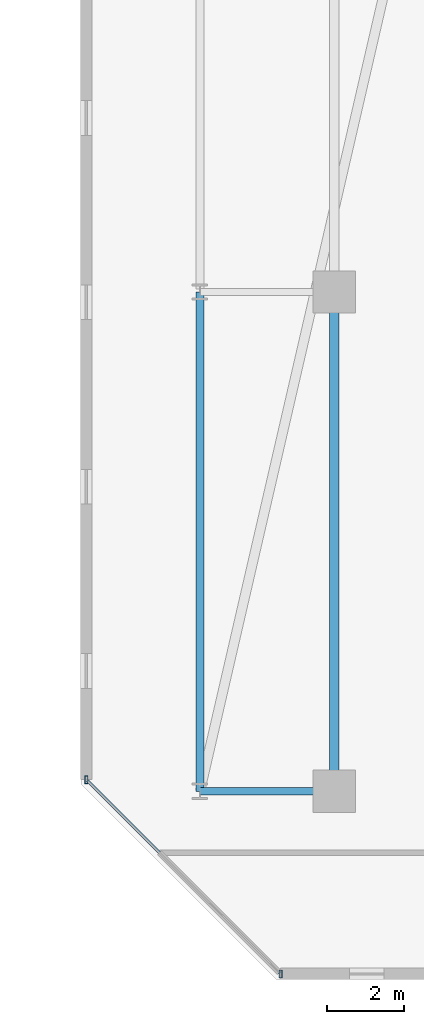
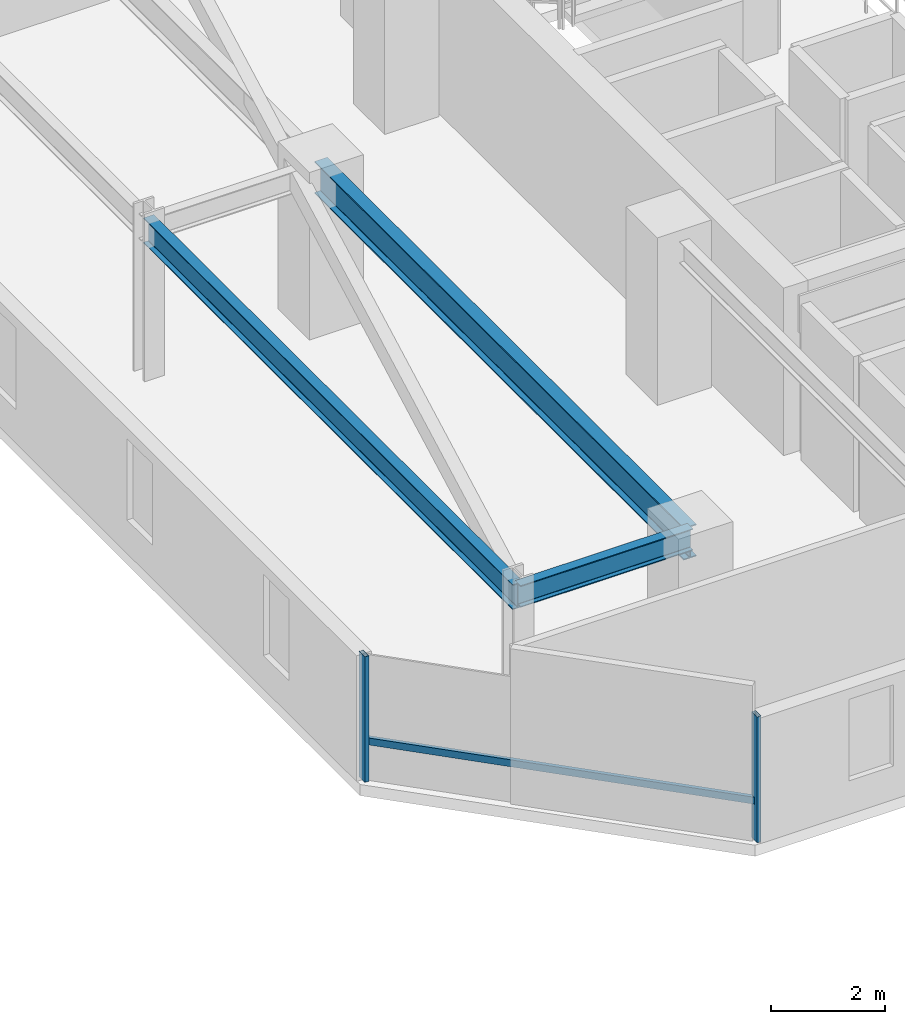
# One storey, part 6 of 33: 3 beams, 3 members, 1 element without a shape of its own.
"""IFC4 building model written with IfcOpenShell, lengths in metres."""

from ifc_helpers import new_model, si_unit, direction, frame, origin, origin_2d, place, context, subcontext, project, spatial, hollow_rectangle, i_section, extrude, material, material_profile, profile_set, type_object, element, aggregate, save


model = new_model("IFC4")

# Units and contexts
model_context = context("Model", 3, precision=1e-05, world=origin(), true_north=direction((0.0, 1.0)))
body_context = subcontext(model_context, "Body", "Model", "MODEL_VIEW")
ifc_project = project(units=[si_unit("LENGTHUNIT", "METRE"), si_unit("AREAUNIT", "SQUARE_METRE"), si_unit("VOLUMEUNIT", "CUBIC_METRE"), si_unit("PLANEANGLEUNIT", "RADIAN"), si_unit("MASSUNIT", "GRAM", prefix="KILO")], contexts=[model_context])

# Site, building, storey
site_placement = place(None, origin())
site = spatial("IfcSite", under=ifc_project, at=site_placement, CompositionType="ELEMENT")
building_placement = place(site_placement, origin())
building = spatial("IfcBuilding", under=site, at=building_placement, Name="Thornwick Lancets Civic Towers", CompositionType="ELEMENT")
storey_placement = place(building_placement, frame((0.0, 0.0, 189.300048828125)))
storey = spatial("IfcBuildingStorey", under=building, at=storey_placement, Name="L50", CompositionType="ELEMENT", Elevation=189.300048828125)

# Beams
ifc_material_1 = material(Name="Steel S355JR", Category="steel")
ifc_material_profile_1 = material_profile(ifc_material_1, i_section(OverallWidth=0.210693359375, OverallDepth=0.53955078125, WebThickness=0.01171875, FlangeThickness=0.018798828125, FilletRadius=0.0126953125, at=origin_2d()), Name="UKB 533x210x109")
ifc_profile_set_1 = profile_set([ifc_material_profile_1], Name="Steel S355JR")
beam_type_1 = type_object("IfcBeamType", Name="BM_EDGE_533_109", PredefinedType="SPANDREL", material=ifc_profile_set_1)
beam_1_placement = place(storey_placement, frame((67.699951171875, 14.0, 3.09033203125), z_axis=(0.0, 1.0, 0.0), x_axis=(-1.0, 0.0, 0.0)))
element("IfcBeam", 1, at=beam_1_placement, inside=storey, type_object=beam_type_1, Name="BM-EDGE-L50-B-S2-1", PredefinedType="SPANDREL", context=body_context, shape_type="SweptSolid", body=[
    extrude(i_section(OverallWidth=0.210693359375, OverallDepth=0.53955078125, WebThickness=0.01171875, FlangeThickness=0.018798828125, FilletRadius=0.0126953125, at=origin_2d()), origin(), (0.0, 0.0, 1.0), 13.0),
])
ifc_material_profile_2 = material_profile(ifc_material_1, i_section(OverallWidth=0.255859375, OverallDepth=0.69287109375, WebThickness=0.014404296875, FlangeThickness=0.023681640625, FilletRadius=0.01513671875, at=origin_2d()), Name="UKB 686x254x170")
ifc_profile_set_2 = profile_set([ifc_material_profile_2], Name="Steel S355JR")
beam_type_2 = type_object("IfcBeamType", Name="BM_GIRD_686_170", PredefinedType="BEAM", material=ifc_profile_set_2)
beam_2_placement = place(storey_placement, frame((71.199951171875, 14.0, 3.013427734375), z_axis=(0.0, 1.0, 0.0), x_axis=(-1.0, 0.0, 0.0)))
element("IfcBeam", 2, at=beam_2_placement, inside=storey, type_object=beam_type_2, Name="BM-SPINE-L50-B-6-7", PredefinedType="BEAM", context=body_context, shape_type="SweptSolid", body=[
    extrude(i_section(OverallWidth=0.255859375, OverallDepth=0.69287109375, WebThickness=0.014404296875, FlangeThickness=0.023681640625, FilletRadius=0.01513671875, at=origin_2d()), origin(), (0.0, 0.0, 1.0), 13.0),
])
ifc_material_profile_3 = material_profile(ifc_material_1, i_section(OverallWidth=0.19287109375, OverallDepth=0.46728515625, WebThickness=0.011474609375, FlangeThickness=0.01953125, FilletRadius=0.01025390625, at=origin_2d()), Name="UKB 457x191x98")
ifc_profile_set_3 = profile_set([ifc_material_profile_3], Name="Steel S355JR")
beam_type_3 = type_object("IfcBeamType", Name="BM_JOIST_457_98", PredefinedType="JOIST", material=ifc_profile_set_3)
beam_3_placement = place(storey_placement, frame((71.199951171875, 14.0, 3.12646484375), z_axis=(-1.0, 0.0, 0.0), x_axis=(0.0, -1.0, 0.0)))
element("IfcBeam", 3, at=beam_3_placement, inside=storey, type_object=beam_type_3, Name="BM-RAD-L50-B07", PredefinedType="JOIST", context=body_context, shape_type="SweptSolid", body=[
    extrude(i_section(OverallWidth=0.19287109375, OverallDepth=0.46728515625, WebThickness=0.011474609375, FlangeThickness=0.01953125, FilletRadius=0.01025390625, at=origin_2d()), origin(), (0.0, 0.0, 1.0), 3.5),
])

# Curtain wall, members
ifc_material_2 = material(Name="Mid-zone chamfered-corner unitised glass curtain wall", Category="glass")
curtain_wall_type = type_object("IfcCurtainWallType", Name="CW_SYS_04", PredefinedType="NOTDEFINED", material=ifc_material_2)
curtain_wall_placement = place(storey_placement, origin())
curtain_wall = element("IfcCurtainWall", 4, at=curtain_wall_placement, inside=storey, type_object=curtain_wall_type, Name="L50 Curtain Wall CW-L50-B-E7", PredefinedType="NOTDEFINED")
ifc_material_3 = material(Name="Thermally broken bronze aluminium S355", Category="steel")
ifc_material_profile_4 = material_profile(ifc_material_3, hollow_rectangle(XDim=0.080078125, YDim=0.199951171875, WallThickness=0.006103515625, at=origin_2d()), Name="RHS 200x80x6")
ifc_profile_set_4 = profile_set([ifc_material_profile_4], Name="Thermally broken bronze aluminium S355")
member_type_1 = type_object("IfcMemberType", Name="CW_MUL_200", PredefinedType="MULLION", material=ifc_profile_set_4)
member_1_placement = place(storey_placement, frame((64.74365234375, 14.300537109375, 0.0), z_axis=(0.0, 0.0, 1.0), x_axis=(1.0, 0.0, 0.0)))
member_1 = element("IfcMember", 5, at=member_1_placement, type_object=member_type_1, Name="CW-L50-B-E7 Mullion 0", PredefinedType="MULLION", context=body_context, shape_type="SweptSolid", body=[
    extrude(hollow_rectangle(XDim=0.080078125, YDim=0.199951171875, WallThickness=0.006103515625, at=origin_2d()), origin(), (0.0, 0.0, 1.0), 2.699951171875),
])
member_2_placement = place(storey_placement, frame((69.800537109375, 9.24365234375, 0.0), z_axis=(0.0, 0.0, 1.0), x_axis=(1.0, 0.0, 0.0)))
member_2 = element("IfcMember", 6, at=member_2_placement, type_object=member_type_1, Name="CW-L50-B-E7 Mullion 1", PredefinedType="MULLION", context=body_context, shape_type="SweptSolid", body=[
    extrude(hollow_rectangle(XDim=0.080078125, YDim=0.199951171875, WallThickness=0.006103515625, at=origin_2d()), origin(), (0.0, 0.0, 1.0), 2.699951171875),
])
ifc_material_profile_5 = material_profile(ifc_material_3, hollow_rectangle(XDim=0.074951171875, YDim=0.14990234375, WallThickness=0.0048828125, at=origin_2d()), Name="RHS 150x75x5")
ifc_profile_set_5 = profile_set([ifc_material_profile_5], Name="Thermally broken bronze aluminium S355")
member_type_2 = type_object("IfcMemberType", Name="CW_TRN_150", PredefinedType="USERDEFINED", material=ifc_profile_set_5)
member_3_placement = place(storey_placement, frame((64.7578125, 14.28662109375, 0.849853515625), z_axis=(0.707106781187, -0.707106781187, 0.0), x_axis=(0.707106781187, 0.707106781187, 0.0)))
member_3 = element("IfcMember", 7, at=member_3_placement, type_object=member_type_2, Name="CW-L50-B-E7 Transom 0", ObjectType="TRANSOM", PredefinedType="USERDEFINED", context=body_context, shape_type="SweptSolid", body=[
    extrude(hollow_rectangle(XDim=0.074951171875, YDim=0.14990234375, WallThickness=0.0048828125, at=origin_2d()), origin(), (0.0, 0.0, 1.0), 7.11181640625),
])
aggregate(curtain_wall, [member_1, member_2, member_3])

save(model, "model.ifc")
